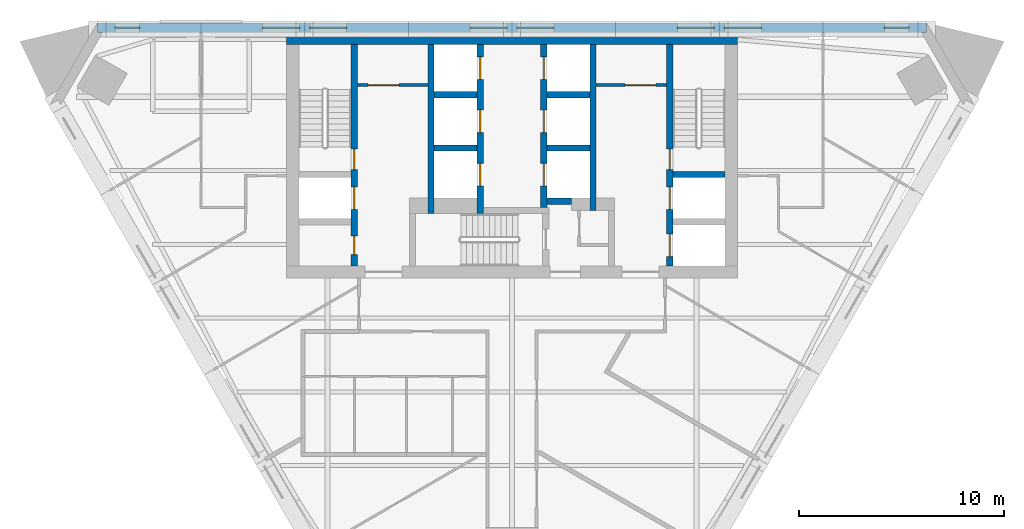
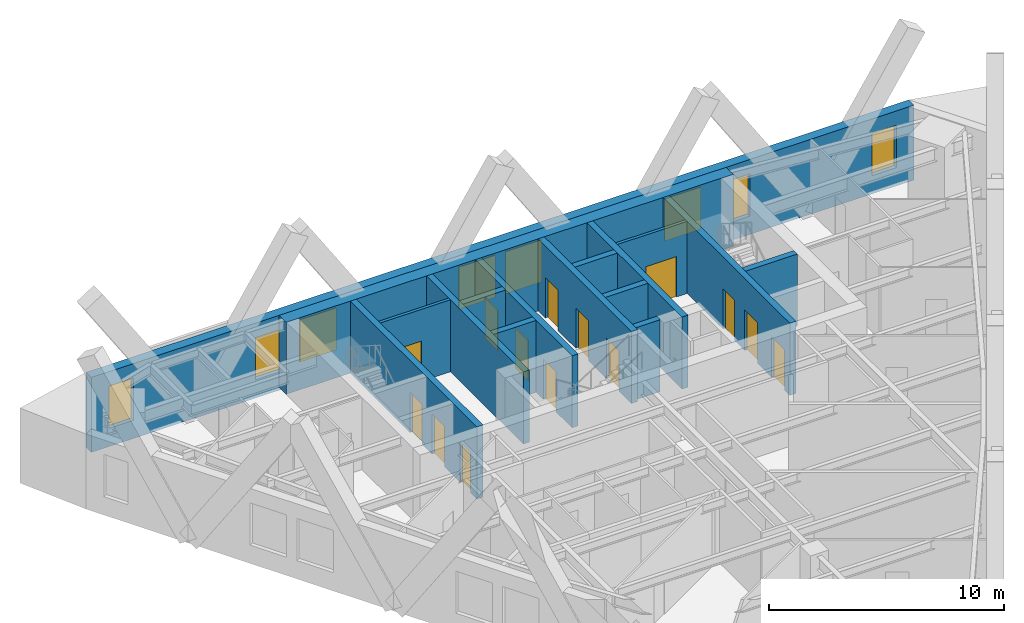
# One storey, part 5 of 7: 16 walls, 14 doors, 8 windows, 22 openings.
"""IFC4 building model written with IfcOpenShell, lengths in metres."""

import ifcopenshell
import ifcopenshell.guid

model = None  # the IFC model being written
_history = None  # IfcOwnerHistory: only IFC2X3 demands one
_inside = {}  # id of a spatial element -> (the spatial element, [elements in it])
_under = {}  # id of a project, library or spatial element -> (it, [spatial elements below it])
_declared = {}  # id of a project -> (the project, [libraries it declares])
_typed = {}  # id of a type object -> (the type object, [elements of that type])
_made_of = {}  # id of a material, layer set ... -> (it, [elements and type objects made of it])


def new_model(schema):
    """Start an empty IFC model of exactly this schema.

    Asked for "IFC4X3", IfcOpenShell would pick the latest addendum, in which some entities
    have other attributes; the version numbers below select the first issue.
    IFC2X3 requires an IfcOwnerHistory on every rooted entity: one is made here for all.
    """
    global model, _history
    if schema == "IFC4X3":
        model = ifcopenshell.file(schema_version=(4, 3, 0, 0))
    else:
        model = ifcopenshell.file(schema=schema)
    _inside.clear()
    _under.clear()
    _declared.clear()
    _typed.clear()
    _made_of.clear()
    _history = None
    if model.schema == "IFC2X3":
        org = make("IfcOrganization", Name="unknown")
        user = make(
            "IfcPersonAndOrganization",
            ThePerson=make("IfcPerson", FamilyName="unknown"),
            TheOrganization=org,
        )
        app = make(
            "IfcApplication",
            ApplicationDeveloper=org,
            Version="unknown",
            ApplicationFullName="unknown",
            ApplicationIdentifier="unknown",
        )
        _history = make(
            "IfcOwnerHistory",
            OwningUser=user,
            OwningApplication=app,
            ChangeAction="ADDED",
            CreationDate=0,
        )
    return model


def make(cls, **values):
    """One entity of the class cls with the attributes given. An attribute that is None is left unset."""
    return model.create_entity(
        cls, **{name: value for name, value in values.items() if value is not None}
    )


def rooted(cls, **values):
    """An entity with a GlobalId (a new one), such as an element, a storey or a relation."""
    return make(cls, GlobalId=ifcopenshell.guid.new(), OwnerHistory=_history, **values)


def si_unit(unit_type, name, prefix=None):
    """IfcSIUnit, for example si_unit("LENGTHUNIT", "METRE", prefix="MILLI")."""
    return make("IfcSIUnit", UnitType=unit_type, Prefix=prefix, Name=name)


def assignment(units):
    """IfcUnitAssignment: the units of a project."""
    return None if units is None else make("IfcUnitAssignment", Units=units)


def point(xyz):
    """IfcCartesianPoint."""
    return None if xyz is None else make("IfcCartesianPoint", Coordinates=xyz)


def direction(xyz):
    """IfcDirection."""
    return None if xyz is None else make("IfcDirection", DirectionRatios=xyz)


def frame(location, z_axis=None, x_axis=None):
    """IfcAxis2Placement3D, a coordinate frame: its origin and axes. An axis left out is left unset."""
    return make(
        "IfcAxis2Placement3D",
        Location=point(location),
        Axis=direction(z_axis),
        RefDirection=direction(x_axis),
    )


def frame_2d(location, x_axis=None):
    """IfcAxis2Placement2D, a coordinate frame in the plane: its origin and x axis."""
    return make(
        "IfcAxis2Placement2D", Location=point(location), RefDirection=direction(x_axis)
    )


def origin():
    """The frame at (0, 0, 0) with its axes left unset."""
    return frame((0.0, 0.0, 0.0))


def place(relative_to, where):
    """IfcLocalPlacement: puts the frame where relative to a parent placement (None: the world)."""
    return make(
        "IfcLocalPlacement", PlacementRelTo=relative_to, RelativePlacement=where
    )


def context(
    kind, dimensions, precision=None, world=None, true_north=None, identifier=None
):
    """IfcGeometricRepresentationContext, for example the 3D "Model" context."""
    return make(
        "IfcGeometricRepresentationContext",
        ContextIdentifier=identifier,
        ContextType=kind,
        CoordinateSpaceDimension=dimensions,
        Precision=precision,
        WorldCoordinateSystem=world,
        TrueNorth=true_north,
    )


def subcontext(parent, identifier, kind, view, scale=None):
    """IfcGeometricRepresentationSubContext, for example "Body" below "Model"."""
    return make(
        "IfcGeometricRepresentationSubContext",
        ContextIdentifier=identifier,
        ContextType=kind,
        ParentContext=parent,
        TargetScale=scale,
        TargetView=view,
    )


def project(units=None, contexts=None):
    """IfcProject with its units and contexts."""
    return rooted(
        "IfcProject",
        Name="project",
        RepresentationContexts=contexts,
        UnitsInContext=assignment(units),
    )


def spatial(cls, under=None, at=None, **own):
    """A site, building, storey or space (cls), placed at a placement, below another one or the project."""
    s = rooted(cls, ObjectPlacement=at, **own)
    if under is not None:
        _under.setdefault(under.id(), (under, []))[1].append(s)
    return s


def polyline(points):
    """IfcPolyline through the points."""
    return make("IfcPolyline", Points=[point(p) for p in points])


def profile(cls, at=None, kind="AREA", **sizes):
    """A parametric profile (cls). Its sizes go by their IFC names, for example OverallWidth=200.0."""
    return make(cls, ProfileType=kind, Position=at, **sizes)


def rectangle(**sizes):
    """IfcRectangleProfileDef."""
    return profile("IfcRectangleProfileDef", **sizes)


def outline(outer, holes=None, kind="AREA"):
    """IfcArbitraryClosedProfileDef: a profile drawn as a closed curve; with holes, ...WithVoids."""
    if holes is None:
        return make("IfcArbitraryClosedProfileDef", ProfileType=kind, OuterCurve=outer)
    return make(
        "IfcArbitraryProfileDefWithVoids",
        ProfileType=kind,
        OuterCurve=outer,
        InnerCurves=holes,
    )


def extrude(swept, where, along, depth):
    """IfcExtrudedAreaSolid: the profile swept, set in the frame where, extruded along a direction by depth."""
    return make(
        "IfcExtrudedAreaSolid",
        SweptArea=swept,
        Position=where,
        ExtrudedDirection=direction(along),
        Depth=depth,
    )


def shape(context_of_items, identifier, shape_type, items):
    """IfcShapeRepresentation: the items that make up one representation, for example the "Body"."""
    return make(
        "IfcShapeRepresentation",
        ContextOfItems=context_of_items,
        RepresentationIdentifier=identifier,
        RepresentationType=shape_type,
        Items=items,
    )


def material(Name=None, Category=None):
    """IfcMaterial."""
    return make("IfcMaterial", Name=Name, Category=Category)


def layer(
    of_material, thickness, ventilated=None, Name=None, Category=None, Priority=None
):
    """IfcMaterialLayer: one layer of a wall or slab, of a material (None: an air gap)."""
    return make(
        "IfcMaterialLayer",
        Material=of_material,
        LayerThickness=thickness,
        IsVentilated=ventilated,
        Name=Name,
        Category=Category,
        Priority=Priority,
    )


def layer_set(layers, Name=None):
    """IfcMaterialLayerSet."""
    return make("IfcMaterialLayerSet", MaterialLayers=layers, LayerSetName=Name)


def made_of(thing, what):
    """Note that an element or type object is made of a material, layer set ...; save() writes the relation."""
    if what is not None:
        _made_of.setdefault(what.id(), (what, []))[1].append(thing)
    return thing


def type_object(cls, material=None, **own):
    """A type object (cls), such as IfcWallType, which elements share."""
    return made_of(rooted(cls, **own), material)


def element(
    cls,
    number,
    at=None,
    inside=None,
    cuts=None,
    type_object=None,
    material=None,
    context=None,
    identifier="Body",
    shape_type=None,
    held_by="IfcProductDefinitionShape",
    body=None,
    shapes=None,
    **own,
):
    """One element of the class cls, such as IfcWall. Its Tag is "e" and its number.

    at: its placement. inside: the storey or other place that contains it. cuts: it is an
    opening in that element (IfcRelVoidsElement). A single representation is given by context,
    identifier, shape_type and body (its items); several are given by shapes. held_by: the class
    of the entity that holds the representations. save() writes the other relations.
    """
    e = rooted(cls, Tag="e%d" % number, ObjectPlacement=at, **own)
    if body is not None:
        shapes = [shape(context, identifier, shape_type, body)]
    if shapes is not None:
        e.Representation = make(held_by, Representations=shapes)
    if inside is not None:
        _inside.setdefault(inside.id(), (inside, []))[1].append(e)
    if cuts is not None:
        rooted(
            "IfcRelVoidsElement", RelatingBuildingElement=cuts, RelatedOpeningElement=e
        )
    if type_object is not None:
        _typed.setdefault(type_object.id(), (type_object, []))[1].append(e)
    return made_of(e, material)


def fill(opening, filler):
    """IfcRelFillsElement: the door or window that sits in an opening."""
    return rooted(
        "IfcRelFillsElement",
        RelatingOpeningElement=opening,
        RelatedBuildingElement=filler,
    )


def aggregate(whole, parts):
    """IfcRelAggregates: a whole, such as a stair, and the parts it consists of."""
    return rooted("IfcRelAggregates", RelatingObject=whole, RelatedObjects=parts)


def save(model, path):
    """Write the relations noted so far, then the file.

    IfcRelAggregates (storeys below a building ...), IfcRelContainedInSpatialStructure (elements
    in a storey), IfcRelDefinesByType, IfcRelAssociatesMaterial and IfcRelDeclares: one each for
    every whole, place, type object, material and project.
    """
    for whole, parts in _under.values():
        aggregate(whole, parts)
    for where, things in _inside.values():
        rooted(
            "IfcRelContainedInSpatialStructure",
            RelatedElements=things,
            RelatingStructure=where,
        )
    for kind, things in _typed.values():
        rooted("IfcRelDefinesByType", RelatedObjects=things, RelatingType=kind)
    for what, things in _made_of.values():
        rooted("IfcRelAssociatesMaterial", RelatedObjects=things, RelatingMaterial=what)
    for by, libraries in _declared.values():
        rooted("IfcRelDeclares", RelatingContext=by, RelatedDefinitions=libraries)
    model.write(path)


model = new_model("IFC4")

# Units and contexts
model_context = context("Model", 3, precision=1e-05, world=origin(), true_north=direction((0.0, 1.0)))
body_context = subcontext(model_context, "Body", "Model", "MODEL_VIEW")
ifc_project = project(units=[si_unit("LENGTHUNIT", "METRE"), si_unit("AREAUNIT", "SQUARE_METRE"), si_unit("VOLUMEUNIT", "CUBIC_METRE"), si_unit("PLANEANGLEUNIT", "RADIAN"), si_unit("MASSUNIT", "GRAM", prefix="KILO")], contexts=[model_context])

# Site, building, storey
site_placement = place(None, origin())
site = spatial("IfcSite", under=ifc_project, at=site_placement, CompositionType="ELEMENT")
building_placement = place(site_placement, origin())
building = spatial("IfcBuilding", under=site, at=building_placement, Name="Aloe Facet Convention Tower", CompositionType="ELEMENT")
storey_placement = place(building_placement, frame((0.0, 0.0, 136.39990234375)))
storey = spatial("IfcBuildingStorey", under=building, at=storey_placement, Name="L34", CompositionType="ELEMENT", Elevation=136.39990234375)

# Wall, opening, door
ifc_material_1 = material(Name="Concrete blockwork partition", Category="masonry")
ifc_layer_1 = layer(ifc_material_1, 0.14990234375)
ifc_layer_set_1 = layer_set([ifc_layer_1], Name="CR-W-PART150")
wall_type_1 = type_object("IfcWallType", Name="CR-W-PART150", PredefinedType="PARTITIONING", material=ifc_layer_set_1)
wall_1_placement = place(storey_placement, frame((72.449951171875, 131.97509765625, 0.0), z_axis=(0.0, 0.0, 1.0), x_axis=(1.0, 0.0, 0.0)))
wall_1 = element("IfcWall", 1, at=wall_1_placement, inside=storey, type_object=wall_type_1, Name="Core partition L34-007", PredefinedType="PARTITIONING", context=body_context, shape_type="SweptSolid", body=[
    extrude(rectangle(XDim=3.449951171875, YDim=0.14990234375, at=frame_2d((1.72509765625, 0.0))), origin(), (0.0, 0.0, 1.0), 3.75),
])
opening_1_placement = place(wall_1_placement, frame((0.52490234375, 0.0, 0.0)))
opening_1 = element("IfcOpeningElement", 2, at=opening_1_placement, cuts=wall_1, Name="Opening L34-CD14", PredefinedType="OPENING", context=body_context, shape_type="SweptSolid", body=[
    extrude(rectangle(XDim=1.5, YDim=2.10009765625, at=frame_2d((0.75, 1.050048828125))), frame((0.0, 0.0849609375, 0.0), z_axis=(0.0, -1.0, 0.0), x_axis=(1.0, 0.0, 0.0)), (0.0, 0.0, 1.0), 0.169921875),
])
ifc_material_2 = material(Name="Steel fire-resisting door set FD60", Category="steel")
door_type_1 = type_object("IfcDoorType", Name="CR-D-REFUGE-1500-FD60-DD", OperationType="DOUBLE_DOOR_DOUBLE_SWING", PredefinedType="DOOR", material=ifc_material_2)
door_1_placement = place(opening_1_placement, origin())
door_1 = element("IfcDoor", 3, at=door_1_placement, inside=storey, type_object=door_type_1, Name="Core door L34-CD14", OperationType="DOUBLE_DOOR_DOUBLE_SWING", OverallHeight=2.10009765625, OverallWidth=1.5, PredefinedType="DOOR", context=body_context, shape_type="SweptSolid", body=[
    extrude(rectangle(XDim=1.5, YDim=2.10009765625, at=frame_2d((0.75, 1.050048828125))), frame((0.0, 0.02490234375, 0.0), z_axis=(0.0, -1.0, 0.0), x_axis=(1.0, 0.0, 0.0)), (0.0, 0.0, 1.0), 0.050048828125),
])
fill(opening_1, door_1)

wall_2_placement = place(storey_placement, frame((84.10009765625, 131.97509765625, 0.0), z_axis=(0.0, 0.0, 1.0), x_axis=(1.0, 0.0, 0.0)))
wall_2 = element("IfcWall", 4, at=wall_2_placement, inside=storey, type_object=wall_type_1, Name="Core partition L34-025", PredefinedType="PARTITIONING", context=body_context, shape_type="SweptSolid", body=[
    extrude(rectangle(XDim=3.449951171875, YDim=0.14990234375, at=frame_2d((1.72509765625, 0.0))), origin(), (0.0, 0.0, 1.0), 3.75),
])
opening_2_placement = place(wall_2_placement, frame((1.425048828125, 0.0, 0.0)))
opening_2 = element("IfcOpeningElement", 5, at=opening_2_placement, cuts=wall_2, Name="Opening L34-CD13", PredefinedType="OPENING", context=body_context, shape_type="SweptSolid", body=[
    extrude(rectangle(XDim=1.5, YDim=2.10009765625, at=frame_2d((0.75, 1.050048828125))), frame((0.0, 0.0849609375, 0.0), z_axis=(0.0, -1.0, 0.0), x_axis=(1.0, 0.0, 0.0)), (0.0, 0.0, 1.0), 0.169921875),
])
door_2_placement = place(opening_2_placement, origin())
door_2 = element("IfcDoor", 6, at=door_2_placement, inside=storey, type_object=door_type_1, Name="Core door L34-CD13", OperationType="DOUBLE_DOOR_DOUBLE_SWING", OverallHeight=2.10009765625, OverallWidth=1.5, PredefinedType="DOOR", context=body_context, shape_type="SweptSolid", body=[
    extrude(rectangle(XDim=1.5, YDim=2.10009765625, at=frame_2d((0.75, 1.050048828125))), frame((0.0, 0.02490234375, 0.0), z_axis=(0.0, -1.0, 0.0), x_axis=(1.0, 0.0, 0.0)), (0.0, 0.0, 1.0), 0.050048828125),
])
fill(opening_2, door_2)

# Wall, openings, doors
ifc_material_3 = material(Name="Concrete C60/75", Category="concrete")
ifc_layer_2 = layer(ifc_material_3, 0.300048828125)
ifc_layer_set_2 = layer_set([ifc_layer_2], Name="CR-W-RC300-C6075")
wall_type_2 = type_object("IfcWallType", Name="CR-W-RC300-C6075", PredefinedType="SOLIDWALL", material=ifc_layer_set_2)
wall_3_placement = place(storey_placement, frame((72.300048828125, 133.949951171875, 0.0), z_axis=(0.0, 0.0, 1.0), x_axis=(0.0, -1.0, 0.0)))
wall_3 = element("IfcWall", 7, at=wall_3_placement, inside=storey, type_object=wall_type_2, Name="Core wall L34-006", PredefinedType="SOLIDWALL", context=body_context, shape_type="SweptSolid", body=[
    extrude(rectangle(XDim=10.800048828125, YDim=0.300048828125, at=frame_2d((5.39990234375, 0.0))), origin(), (0.0, 0.0, 1.0), 3.75),
])
opening_3_placement = place(wall_3_placement, frame((6.949951171875, 0.0, 0.0)))
opening_3 = element("IfcOpeningElement", 8, at=opening_3_placement, cuts=wall_3, Name="Opening LD-FF1-L34", PredefinedType="OPENING", context=body_context, shape_type="SweptSolid", body=[
    extrude(rectangle(XDim=1.10009765625, YDim=2.10009765625, at=frame_2d((0.550048828125, 1.050048828125))), frame((0.0, 0.16015625, 0.0), z_axis=(0.0, -1.0, 0.0), x_axis=(1.0, 0.0, 0.0)), (0.0, 0.0, 1.0), 0.320068359375),
])
opening_4_placement = place(wall_3_placement, frame((9.35009765625, 0.0, 0.0)))
opening_4 = element("IfcOpeningElement", 9, at=opening_4_placement, cuts=wall_3, Name="Opening L34-CD15", PredefinedType="OPENING", context=body_context, shape_type="SweptSolid", body=[
    extrude(rectangle(XDim=0.89990234375, YDim=2.10009765625, at=frame_2d((0.449951171875, 1.050048828125))), frame((0.0, 0.16015625, 0.0), z_axis=(0.0, -1.0, 0.0), x_axis=(1.0, 0.0, 0.0)), (0.0, 0.0, 1.0), 0.320068359375),
])
opening_5_placement = place(wall_3_placement, frame((5.10009765625, 0.0, 0.0)))
opening_5 = element("IfcOpeningElement", 10, at=opening_5_placement, cuts=wall_3, Name="Opening L34-CD16", PredefinedType="OPENING", context=body_context, shape_type="SweptSolid", body=[
    extrude(rectangle(XDim=1.0, YDim=2.10009765625, at=frame_2d((0.5, 1.050048828125))), frame((0.0, 0.16015625, 0.0), z_axis=(0.0, -1.0, 0.0), x_axis=(1.0, 0.0, 0.0)), (0.0, 0.0, 1.0), 0.320068359375),
])
ifc_material_4 = material(Name="Steel fire-resisting door set FD60", Category="steel")
door_type_2 = type_object("IfcDoorType", Name="CR-D-ROOM-900-FD60-SLEFT", OperationType="SINGLE_SWING_LEFT", PredefinedType="DOOR", material=ifc_material_4)
door_3_placement = place(opening_4_placement, origin())
door_3 = element("IfcDoor", 11, at=door_3_placement, inside=storey, type_object=door_type_2, Name="Core door L34-CD15", OperationType="SINGLE_SWING_LEFT", OverallHeight=2.10009765625, OverallWidth=0.89990234375, PredefinedType="DOOR", context=body_context, shape_type="SweptSolid", body=[
    extrude(rectangle(XDim=0.89990234375, YDim=2.10009765625, at=frame_2d((0.449951171875, 1.050048828125))), frame((0.0, 0.02490234375, 0.0), z_axis=(0.0, -1.0, 0.0), x_axis=(1.0, 0.0, 0.0)), (0.0, 0.0, 1.0), 0.050048828125),
])
fill(opening_4, door_3)
ifc_material_5 = material(Name="Steel fire-resisting door set FD120", Category="steel")
door_type_3 = type_object("IfcDoorType", Name="CR-D-STAIR-1000-FD120-SRIGHT", OperationType="SINGLE_SWING_RIGHT", PredefinedType="DOOR", material=ifc_material_5)
door_4_placement = place(opening_5_placement, origin())
door_4 = element("IfcDoor", 12, at=door_4_placement, inside=storey, type_object=door_type_3, Name="Core door L34-CD16", OperationType="SINGLE_SWING_RIGHT", OverallHeight=2.10009765625, OverallWidth=1.0, PredefinedType="DOOR", context=body_context, shape_type="SweptSolid", body=[
    extrude(rectangle(XDim=1.0, YDim=2.10009765625, at=frame_2d((0.5, 1.050048828125))), frame((0.0, 0.02490234375, 0.0), z_axis=(0.0, -1.0, 0.0), x_axis=(1.0, 0.0, 0.0)), (0.0, 0.0, 1.0), 0.050048828125),
])
fill(opening_5, door_4)
ifc_material_6 = material(Name="Stainless steel sliding landing door", Category="steel")
door_type_4 = type_object("IfcDoorType", Name="CR-LD-1100-FD120-_LEFT", OperationType="SLIDING_TO_LEFT", PredefinedType="DOOR", material=ifc_material_6)
door_5_placement = place(opening_3_placement, origin())
door_5 = element("IfcDoor", 13, at=door_5_placement, inside=storey, type_object=door_type_4, Name="Landing door FF1 L34", OperationType="SLIDING_TO_LEFT", OverallHeight=2.10009765625, OverallWidth=1.10009765625, PredefinedType="DOOR", context=body_context, shape_type="SweptSolid", body=[
    extrude(rectangle(XDim=1.10009765625, YDim=2.10009765625, at=frame_2d((0.550048828125, 1.050048828125))), frame((0.0, 0.02490234375, 0.0), z_axis=(0.0, -1.0, 0.0), x_axis=(1.0, 0.0, 0.0)), (0.0, 0.0, 1.0), 0.050048828125),
])
fill(opening_3, door_5)

# Walls
wall_4_placement = place(storey_placement, frame((76.050048828125, 133.949951171875, 0.0), z_axis=(0.0, 0.0, 1.0), x_axis=(0.0, -1.0, 0.0)))
element("IfcWall", 14, at=wall_4_placement, inside=storey, type_object=wall_type_2, Name="Core wall L34-010", PredefinedType="SOLIDWALL", context=body_context, shape_type="SweptSolid", body=[
    extrude(rectangle(XDim=8.25, YDim=0.300048828125, at=frame_2d((4.125, 0.0))), origin(), (0.0, 0.0, 1.0), 3.75),
])
for number, where, z_axis, x_axis, name in (
    (15, (76.199951171875, 131.5, 0.0), (0.0, 0.0, 1.0), (1.0, 0.0, 0.0), "Core wall L34-011"),
    (16, (76.199951171875, 128.89990234375, 0.0), (0.0, 0.0, 1.0), (1.0, 0.0, 0.0), "Core wall L34-012"),
):
    element("IfcWall", number, at=place(storey_placement, frame(where, z_axis=z_axis, x_axis=x_axis)), inside=storey, type_object=wall_type_2, Name=name, PredefinedType="SOLIDWALL", context=body_context, shape_type="SweptSolid", body=[
        extrude(rectangle(XDim=2.10009765625, YDim=0.300048828125, at=frame_2d((1.050048828125, 0.0))), origin(), (0.0, 0.0, 1.0), 3.75),
    ])

# Wall, openings, doors
wall_5_placement = place(storey_placement, frame((78.449951171875, 133.949951171875, 0.0), z_axis=(0.0, 0.0, 1.0), x_axis=(0.0, -1.0, 0.0)))
wall_5 = element("IfcWall", 17, at=wall_5_placement, inside=storey, type_object=wall_type_2, Name="Core wall L34-014", PredefinedType="SOLIDWALL", context=body_context, shape_type="SweptSolid", body=[
    extrude(rectangle(XDim=8.25, YDim=0.300048828125, at=frame_2d((4.125, 0.0))), origin(), (0.0, 0.0, 1.0), 3.75),
])
opening_6_placement = place(wall_5_placement, frame((0.60009765625, 0.0, 0.0)))
opening_6 = element("IfcOpeningElement", 18, at=opening_6_placement, cuts=wall_5, Name="Opening LD-B1-L34", PredefinedType="OPENING", context=body_context, shape_type="SweptSolid", body=[
    extrude(rectangle(XDim=1.10009765625, YDim=2.10009765625, at=frame_2d((0.550048828125, 1.050048828125))), frame((0.0, 0.16015625, 0.0), z_axis=(0.0, -1.0, 0.0), x_axis=(1.0, 0.0, 0.0)), (0.0, 0.0, 1.0), 0.320068359375),
])
opening_7_placement = place(wall_5_placement, frame((3.199951171875, 0.0, 0.0)))
opening_7 = element("IfcOpeningElement", 19, at=opening_7_placement, cuts=wall_5, Name="Opening LD-B2-L34", PredefinedType="OPENING", context=body_context, shape_type="SweptSolid", body=[
    extrude(rectangle(XDim=1.10009765625, YDim=2.10009765625, at=frame_2d((0.550048828125, 1.050048828125))), frame((0.0, 0.16015625, 0.0), z_axis=(0.0, -1.0, 0.0), x_axis=(1.0, 0.0, 0.0)), (0.0, 0.0, 1.0), 0.320068359375),
])
opening_8_placement = place(wall_5_placement, frame((5.800048828125, 0.0, 0.0)))
opening_8 = element("IfcOpeningElement", 20, at=opening_8_placement, cuts=wall_5, Name="Opening LD-B3-L34", PredefinedType="OPENING", context=body_context, shape_type="SweptSolid", body=[
    extrude(rectangle(XDim=1.10009765625, YDim=2.10009765625, at=frame_2d((0.550048828125, 1.050048828125))), frame((0.0, 0.16015625, 0.0), z_axis=(0.0, -1.0, 0.0), x_axis=(1.0, 0.0, 0.0)), (0.0, 0.0, 1.0), 0.320068359375),
])
ifc_material_7 = material(Name="Stainless steel sliding landing door", Category="steel")
door_type_5 = type_object("IfcDoorType", Name="CR-LD-1100-FD60-RIGHT", OperationType="SLIDING_TO_RIGHT", PredefinedType="DOOR", material=ifc_material_7)
door_6_placement = place(opening_6_placement, origin())
door_6 = element("IfcDoor", 21, at=door_6_placement, inside=storey, type_object=door_type_5, Name="Landing door B1 L34", OperationType="SLIDING_TO_RIGHT", OverallHeight=2.10009765625, OverallWidth=1.10009765625, PredefinedType="DOOR", context=body_context, shape_type="SweptSolid", body=[
    extrude(rectangle(XDim=1.10009765625, YDim=2.10009765625, at=frame_2d((0.550048828125, 1.050048828125))), frame((0.0, 0.02490234375, 0.0), z_axis=(0.0, -1.0, 0.0), x_axis=(1.0, 0.0, 0.0)), (0.0, 0.0, 1.0), 0.050048828125),
])
fill(opening_6, door_6)
door_7_placement = place(opening_7_placement, origin())
door_7 = element("IfcDoor", 22, at=door_7_placement, inside=storey, type_object=door_type_5, Name="Landing door B2 L34", OperationType="SLIDING_TO_RIGHT", OverallHeight=2.10009765625, OverallWidth=1.10009765625, PredefinedType="DOOR", context=body_context, shape_type="SweptSolid", body=[
    extrude(rectangle(XDim=1.10009765625, YDim=2.10009765625, at=frame_2d((0.550048828125, 1.050048828125))), frame((0.0, 0.02490234375, 0.0), z_axis=(0.0, -1.0, 0.0), x_axis=(1.0, 0.0, 0.0)), (0.0, 0.0, 1.0), 0.050048828125),
])
fill(opening_7, door_7)
door_8_placement = place(opening_8_placement, origin())
door_8 = element("IfcDoor", 23, at=door_8_placement, inside=storey, type_object=door_type_5, Name="Landing door B3 L34", OperationType="SLIDING_TO_RIGHT", OverallHeight=2.10009765625, OverallWidth=1.10009765625, PredefinedType="DOOR", context=body_context, shape_type="SweptSolid", body=[
    extrude(rectangle(XDim=1.10009765625, YDim=2.10009765625, at=frame_2d((0.550048828125, 1.050048828125))), frame((0.0, 0.02490234375, 0.0), z_axis=(0.0, -1.0, 0.0), x_axis=(1.0, 0.0, 0.0)), (0.0, 0.0, 1.0), 0.050048828125),
])
fill(opening_8, door_8)

wall_6_placement = place(storey_placement, frame((81.550048828125, 133.949951171875, 0.0), z_axis=(0.0, 0.0, 1.0), x_axis=(0.0, -1.0, 0.0)))
wall_6 = element("IfcWall", 24, at=wall_6_placement, inside=storey, type_object=wall_type_2, Name="Core wall L34-016", PredefinedType="SOLIDWALL", context=body_context, shape_type="SweptSolid", body=[
    extrude(rectangle(XDim=7.949951171875, YDim=0.300048828125, at=frame_2d((3.97509765625, 0.0))), origin(), (0.0, 0.0, 1.0), 3.75),
])
opening_9_placement = place(wall_6_placement, frame((0.60009765625, 0.0, 0.0)))
opening_9 = element("IfcOpeningElement", 25, at=opening_9_placement, cuts=wall_6, Name="Opening LD-B4-L34", PredefinedType="OPENING", context=body_context, shape_type="SweptSolid", body=[
    extrude(rectangle(XDim=1.10009765625, YDim=2.10009765625, at=frame_2d((0.550048828125, 1.050048828125))), frame((0.0, 0.16015625, 0.0), z_axis=(0.0, -1.0, 0.0), x_axis=(1.0, 0.0, 0.0)), (0.0, 0.0, 1.0), 0.320068359375),
])
opening_10_placement = place(wall_6_placement, frame((3.199951171875, 0.0, 0.0)))
opening_10 = element("IfcOpeningElement", 26, at=opening_10_placement, cuts=wall_6, Name="Opening LD-B5-L34", PredefinedType="OPENING", context=body_context, shape_type="SweptSolid", body=[
    extrude(rectangle(XDim=1.10009765625, YDim=2.10009765625, at=frame_2d((0.550048828125, 1.050048828125))), frame((0.0, 0.16015625, 0.0), z_axis=(0.0, -1.0, 0.0), x_axis=(1.0, 0.0, 0.0)), (0.0, 0.0, 1.0), 0.320068359375),
])
opening_11_placement = place(wall_6_placement, frame((5.800048828125, 0.0, 0.0)))
opening_11 = element("IfcOpeningElement", 27, at=opening_11_placement, cuts=wall_6, Name="Opening LD-B6-L34", PredefinedType="OPENING", context=body_context, shape_type="SweptSolid", body=[
    extrude(rectangle(XDim=1.10009765625, YDim=2.10009765625, at=frame_2d((0.550048828125, 1.050048828125))), frame((0.0, 0.16015625, 0.0), z_axis=(0.0, -1.0, 0.0), x_axis=(1.0, 0.0, 0.0)), (0.0, 0.0, 1.0), 0.320068359375),
])
ifc_material_8 = material(Name="Stainless steel sliding landing door", Category="steel")
door_type_6 = type_object("IfcDoorType", Name="CR-LD-1100-FD60-_LEFT", OperationType="SLIDING_TO_LEFT", PredefinedType="DOOR", material=ifc_material_8)
door_9_placement = place(opening_9_placement, origin())
door_9 = element("IfcDoor", 28, at=door_9_placement, inside=storey, type_object=door_type_6, Name="Landing door B4 L34", OperationType="SLIDING_TO_LEFT", OverallHeight=2.10009765625, OverallWidth=1.10009765625, PredefinedType="DOOR", context=body_context, shape_type="SweptSolid", body=[
    extrude(rectangle(XDim=1.10009765625, YDim=2.10009765625, at=frame_2d((0.550048828125, 1.050048828125))), frame((0.0, 0.02490234375, 0.0), z_axis=(0.0, -1.0, 0.0), x_axis=(1.0, 0.0, 0.0)), (0.0, 0.0, 1.0), 0.050048828125),
])
fill(opening_9, door_9)
door_10_placement = place(opening_10_placement, origin())
door_10 = element("IfcDoor", 29, at=door_10_placement, inside=storey, type_object=door_type_6, Name="Landing door B5 L34", OperationType="SLIDING_TO_LEFT", OverallHeight=2.10009765625, OverallWidth=1.10009765625, PredefinedType="DOOR", context=body_context, shape_type="SweptSolid", body=[
    extrude(rectangle(XDim=1.10009765625, YDim=2.10009765625, at=frame_2d((0.550048828125, 1.050048828125))), frame((0.0, 0.02490234375, 0.0), z_axis=(0.0, -1.0, 0.0), x_axis=(1.0, 0.0, 0.0)), (0.0, 0.0, 1.0), 0.050048828125),
])
fill(opening_10, door_10)
door_11_placement = place(opening_11_placement, origin())
door_11 = element("IfcDoor", 30, at=door_11_placement, inside=storey, type_object=door_type_6, Name="Landing door B6 L34", OperationType="SLIDING_TO_LEFT", OverallHeight=2.10009765625, OverallWidth=1.10009765625, PredefinedType="DOOR", context=body_context, shape_type="SweptSolid", body=[
    extrude(rectangle(XDim=1.10009765625, YDim=2.10009765625, at=frame_2d((0.550048828125, 1.050048828125))), frame((0.0, 0.02490234375, 0.0), z_axis=(0.0, -1.0, 0.0), x_axis=(1.0, 0.0, 0.0)), (0.0, 0.0, 1.0), 0.050048828125),
])
fill(opening_11, door_11)

# Walls
for number, where, z_axis, x_axis, name in (
    (31, (81.699951171875, 131.5, 0.0), (0.0, 0.0, 1.0), (1.0, 0.0, 0.0), "Core wall L34-018"),
    (32, (81.699951171875, 128.89990234375, 0.0), (0.0, 0.0, 1.0), (1.0, 0.0, 0.0), "Core wall L34-019"),
):
    element("IfcWall", number, at=place(storey_placement, frame(where, z_axis=z_axis, x_axis=x_axis)), inside=storey, type_object=wall_type_2, Name=name, PredefinedType="SOLIDWALL", context=body_context, shape_type="SweptSolid", body=[
        extrude(rectangle(XDim=2.10009765625, YDim=0.300048828125, at=frame_2d((1.050048828125, 0.0))), origin(), (0.0, 0.0, 1.0), 3.75),
    ])
wall_7_placement = place(storey_placement, frame((81.699951171875, 126.300048828125, 0.0), z_axis=(0.0, 0.0, 1.0), x_axis=(1.0, 0.0, 0.0)))
element("IfcWall", 33, at=wall_7_placement, inside=storey, type_object=wall_type_2, Name="Core wall L34-020", PredefinedType="SOLIDWALL", context=body_context, shape_type="SweptSolid", body=[
    extrude(rectangle(XDim=1.199951171875, YDim=0.300048828125, at=frame_2d((0.60009765625, 0.0))), origin(), (0.0, 0.0, 1.0), 3.75),
])
wall_8_placement = place(storey_placement, frame((83.949951171875, 133.949951171875, 0.0), z_axis=(0.0, 0.0, 1.0), x_axis=(0.0, -1.0, 0.0)))
element("IfcWall", 34, at=wall_8_placement, inside=storey, type_object=wall_type_2, Name="Core wall L34-024", PredefinedType="SOLIDWALL", context=body_context, shape_type="SweptSolid", body=[
    extrude(rectangle(XDim=8.099853515625, YDim=0.300048828125, at=frame_2d((4.0498046875, 0.0))), origin(), (0.0, 0.0, 1.0), 3.75),
])

# Wall, openings, doors
wall_9_placement = place(storey_placement, frame((87.699951171875, 133.949951171875, 0.0), z_axis=(0.0, 0.0, 1.0), x_axis=(0.0, -1.0, 0.0)))
wall_9 = element("IfcWall", 35, at=wall_9_placement, inside=storey, type_object=wall_type_2, Name="Core wall L34-028", PredefinedType="SOLIDWALL", context=body_context, shape_type="SweptSolid", body=[
    extrude(rectangle(XDim=10.800048828125, YDim=0.300048828125, at=frame_2d((5.39990234375, 0.0))), origin(), (0.0, 0.0, 1.0), 3.75),
])
opening_12_placement = place(wall_9_placement, frame((6.949951171875, 0.0, 0.0)))
opening_12 = element("IfcOpeningElement", 36, at=opening_12_placement, cuts=wall_9, Name="Opening LD-FF2-L34", PredefinedType="OPENING", context=body_context, shape_type="SweptSolid", body=[
    extrude(rectangle(XDim=1.10009765625, YDim=2.10009765625, at=frame_2d((0.550048828125, 1.050048828125))), frame((0.0, 0.16015625, 0.0), z_axis=(0.0, -1.0, 0.0), x_axis=(1.0, 0.0, 0.0)), (0.0, 0.0, 1.0), 0.320068359375),
])
opening_13_placement = place(wall_9_placement, frame((5.10009765625, 0.0, 0.0)))
opening_13 = element("IfcOpeningElement", 37, at=opening_13_placement, cuts=wall_9, Name="Opening L34-CD17", PredefinedType="OPENING", context=body_context, shape_type="SweptSolid", body=[
    extrude(rectangle(XDim=1.0, YDim=2.10009765625, at=frame_2d((0.5, 1.050048828125))), frame((0.0, 0.16015625, 0.0), z_axis=(0.0, -1.0, 0.0), x_axis=(1.0, 0.0, 0.0)), (0.0, 0.0, 1.0), 0.320068359375),
])
opening_14_placement = place(wall_9_placement, frame((9.25, 0.0, 0.0)))
opening_14 = element("IfcOpeningElement", 38, at=opening_14_placement, cuts=wall_9, Name="Opening LD-SV1-L34", PredefinedType="OPENING", context=body_context, shape_type="SweptSolid", body=[
    extrude(rectangle(XDim=1.10009765625, YDim=2.10009765625, at=frame_2d((0.550048828125, 1.050048828125))), frame((0.0, 0.16015625, 0.0), z_axis=(0.0, -1.0, 0.0), x_axis=(1.0, 0.0, 0.0)), (0.0, 0.0, 1.0), 0.320068359375),
])
ifc_material_9 = material(Name="Steel fire-resisting door set FD120", Category="steel")
door_type_7 = type_object("IfcDoorType", Name="CR-D-STAIR-1000-FD120-SLEFT", OperationType="SINGLE_SWING_LEFT", PredefinedType="DOOR", material=ifc_material_9)
door_12_placement = place(opening_13_placement, origin())
door_12 = element("IfcDoor", 39, at=door_12_placement, inside=storey, type_object=door_type_7, Name="Core door L34-CD17", OperationType="SINGLE_SWING_LEFT", OverallHeight=2.10009765625, OverallWidth=1.0, PredefinedType="DOOR", context=body_context, shape_type="SweptSolid", body=[
    extrude(rectangle(XDim=1.0, YDim=2.10009765625, at=frame_2d((0.5, 1.050048828125))), frame((0.0, 0.02490234375, 0.0), z_axis=(0.0, -1.0, 0.0), x_axis=(1.0, 0.0, 0.0)), (0.0, 0.0, 1.0), 0.050048828125),
])
fill(opening_13, door_12)
door_13_placement = place(opening_12_placement, origin())
door_13 = element("IfcDoor", 40, at=door_13_placement, inside=storey, type_object=door_type_4, Name="Landing door FF2 L34", OperationType="SLIDING_TO_LEFT", OverallHeight=2.10009765625, OverallWidth=1.10009765625, PredefinedType="DOOR", context=body_context, shape_type="SweptSolid", body=[
    extrude(rectangle(XDim=1.10009765625, YDim=2.10009765625, at=frame_2d((0.550048828125, 1.050048828125))), frame((0.0, 0.02490234375, 0.0), z_axis=(0.0, -1.0, 0.0), x_axis=(1.0, 0.0, 0.0)), (0.0, 0.0, 1.0), 0.050048828125),
])
fill(opening_12, door_13)
door_14_placement = place(opening_14_placement, origin())
door_14 = element("IfcDoor", 41, at=door_14_placement, inside=storey, type_object=door_type_4, Name="Landing door SV1 L34", OperationType="SLIDING_TO_LEFT", OverallHeight=2.10009765625, OverallWidth=1.10009765625, PredefinedType="DOOR", context=body_context, shape_type="SweptSolid", body=[
    extrude(rectangle(XDim=1.10009765625, YDim=2.10009765625, at=frame_2d((0.550048828125, 1.050048828125))), frame((0.0, 0.02490234375, 0.0), z_axis=(0.0, -1.0, 0.0), x_axis=(1.0, 0.0, 0.0)), (0.0, 0.0, 1.0), 0.050048828125),
])
fill(opening_14, door_14)

# Walls
wall_10_placement = place(storey_placement, frame((87.85009765625, 127.60009765625, 0.0), z_axis=(0.0, 0.0, 1.0), x_axis=(1.0, 0.0, 0.0)))
element("IfcWall", 42, at=wall_10_placement, inside=storey, type_object=wall_type_2, Name="Core wall L34-029", PredefinedType="SOLIDWALL", context=body_context, shape_type="SweptSolid", body=[
    extrude(rectangle(XDim=2.5498046875, YDim=0.300048828125, at=frame_2d((1.27490234375, 0.0))), origin(), (0.0, 0.0, 1.0), 3.75),
])
ifc_material_10 = material(Name="Concrete C60/75", Category="concrete")
ifc_layer_3 = layer(ifc_material_10, 0.60009765625)
ifc_layer_set_3 = layer_set([ifc_layer_3], Name="CR-W-RC600-C6075")
wall_type_3 = type_object("IfcWallType", Name="CR-W-RC600-C6075", PredefinedType="SOLIDWALL", material=ifc_layer_set_3)
wall_11_placement = place(storey_placement, frame((69.0, 134.25, 0.0), z_axis=(0.0, 0.0, 1.0), x_axis=(1.0, 0.0, 0.0)))
element("IfcWall", 43, at=wall_11_placement, inside=storey, type_object=wall_type_3, Name="Core wall L34-001", PredefinedType="SOLIDWALL", context=body_context, shape_type="SweptSolid", body=[
    extrude(rectangle(XDim=22.0, YDim=0.60009765625, at=frame_2d((11.0, 0.0))), origin(), (0.0, 0.0, 1.0), 3.75),
])

# Wall, openings, windows
ifc_material_11 = material(Name="Precast concrete C40/50", Category="concrete")
ifc_layer_4 = layer(ifc_material_11, 0.449951171875)
ifc_layer_set_4 = layer_set([ifc_layer_4], Name="EV-WALL-STONE")
wall_type_4 = type_object("IfcWallType", Name="EV-WALL-STONE", PredefinedType="SOLIDWALL", material=ifc_layer_set_4)
wall_12_placement = place(storey_placement, frame((100.2431640625, 134.77490234375, -0.14990234375), z_axis=(0.0, 0.0, 1.0), x_axis=(-1.0, 0.0, 0.0)))
wall_12 = element("IfcWall", 44, at=wall_12_placement, inside=storey, type_object=wall_type_4, Name="EW-L34-N01", PredefinedType="SOLIDWALL", context=body_context, shape_type="SweptSolid", body=[
    extrude(outline(polyline([(40.486083984375, 0.0), (40.486083984375, 3.89990234375), (0.0, 3.89990234375), (0.0, 0.0), (40.486083984375, 0.0)])), frame((0.0, 0.22509765625, 0.0), z_axis=(0.0, -1.0, 0.0), x_axis=(1.0, 0.0, 0.0)), (0.0, 0.0, 1.0), 0.449951171875),
])
opening_15_placement = place(wall_12_placement, frame((0.86962890625, 0.0, 0.949951171875)))
opening_15 = element("IfcOpeningElement", 45, at=opening_15_placement, cuts=wall_12, Name="Opening W-L34-N01", PredefinedType="OPENING", context=body_context, shape_type="SweptSolid", body=[
    extrude(rectangle(XDim=1.199951171875, YDim=2.199951171875, at=frame_2d((0.60009765625, 1.10009765625))), frame((0.0, 0.23486328125, 0.0), z_axis=(0.0, -1.0, 0.0), x_axis=(1.0, 0.0, 0.0)), (0.0, 0.0, 1.0), 0.469970703125),
])
opening_16_placement = place(wall_12_placement, frame((8.071533203125, 0.0, 0.949951171875)))
opening_16 = element("IfcOpeningElement", 46, at=opening_16_placement, cuts=wall_12, Name="Opening W-L34-N02", PredefinedType="OPENING", context=body_context, shape_type="SweptSolid", body=[
    extrude(rectangle(XDim=1.800048828125, YDim=2.199951171875, at=frame_2d((0.89990234375, 1.10009765625))), frame((0.0, 0.23486328125, 0.0), z_axis=(0.0, -1.0, 0.0), x_axis=(1.0, 0.0, 0.0)), (0.0, 0.0, 1.0), 0.469970703125),
])
opening_17_placement = place(wall_12_placement, frame((10.37158203125, 0.0, 0.949951171875)))
opening_17 = element("IfcOpeningElement", 47, at=opening_17_placement, cuts=wall_12, Name="Opening W-L34-N03", PredefinedType="OPENING", context=body_context, shape_type="SweptSolid", body=[
    extrude(rectangle(XDim=1.800048828125, YDim=2.199951171875, at=frame_2d((0.89990234375, 1.10009765625))), frame((0.0, 0.23486328125, 0.0), z_axis=(0.0, -1.0, 0.0), x_axis=(1.0, 0.0, 0.0)), (0.0, 0.0, 1.0), 0.469970703125),
])
opening_18_placement = place(wall_12_placement, frame((18.193115234375, 0.0, 0.949951171875)))
opening_18 = element("IfcOpeningElement", 48, at=opening_18_placement, cuts=wall_12, Name="Opening W-L34-N04", PredefinedType="OPENING", context=body_context, shape_type="SweptSolid", body=[
    extrude(rectangle(XDim=1.800048828125, YDim=2.199951171875, at=frame_2d((0.89990234375, 1.10009765625))), frame((0.0, 0.23486328125, 0.0), z_axis=(0.0, -1.0, 0.0), x_axis=(1.0, 0.0, 0.0)), (0.0, 0.0, 1.0), 0.469970703125),
])
opening_19_placement = place(wall_12_placement, frame((20.4931640625, 0.0, 0.949951171875)))
opening_19 = element("IfcOpeningElement", 49, at=opening_19_placement, cuts=wall_12, Name="Opening W-L34-N05", PredefinedType="OPENING", context=body_context, shape_type="SweptSolid", body=[
    extrude(rectangle(XDim=1.800048828125, YDim=2.199951171875, at=frame_2d((0.89990234375, 1.10009765625))), frame((0.0, 0.23486328125, 0.0), z_axis=(0.0, -1.0, 0.0), x_axis=(1.0, 0.0, 0.0)), (0.0, 0.0, 1.0), 0.469970703125),
])
opening_20_placement = place(wall_12_placement, frame((28.314697265625, 0.0, 0.949951171875)))
opening_20 = element("IfcOpeningElement", 50, at=opening_20_placement, cuts=wall_12, Name="Opening W-L34-N06", PredefinedType="OPENING", context=body_context, shape_type="SweptSolid", body=[
    extrude(rectangle(XDim=1.800048828125, YDim=2.199951171875, at=frame_2d((0.89990234375, 1.10009765625))), frame((0.0, 0.23486328125, 0.0), z_axis=(0.0, -1.0, 0.0), x_axis=(1.0, 0.0, 0.0)), (0.0, 0.0, 1.0), 0.469970703125),
])
opening_21_placement = place(wall_12_placement, frame((30.614501953125, 0.0, 0.949951171875)))
opening_21 = element("IfcOpeningElement", 51, at=opening_21_placement, cuts=wall_12, Name="Opening W-L34-N07", PredefinedType="OPENING", context=body_context, shape_type="SweptSolid", body=[
    extrude(rectangle(XDim=1.800048828125, YDim=2.199951171875, at=frame_2d((0.89990234375, 1.10009765625))), frame((0.0, 0.23486328125, 0.0), z_axis=(0.0, -1.0, 0.0), x_axis=(1.0, 0.0, 0.0)), (0.0, 0.0, 1.0), 0.469970703125),
])
opening_22_placement = place(wall_12_placement, frame((38.41650390625, 0.0, 0.949951171875)))
opening_22 = element("IfcOpeningElement", 52, at=opening_22_placement, cuts=wall_12, Name="Opening W-L34-N08", PredefinedType="OPENING", context=body_context, shape_type="SweptSolid", body=[
    extrude(rectangle(XDim=1.199951171875, YDim=2.199951171875, at=frame_2d((0.60009765625, 1.10009765625))), frame((0.0, 0.23486328125, 0.0), z_axis=(0.0, -1.0, 0.0), x_axis=(1.0, 0.0, 0.0)), (0.0, 0.0, 1.0), 0.469970703125),
])
ifc_material_12 = material(Name="Aluminium frame, clear double glazing", Category="aluminium")
window_type_1 = type_object("IfcWindowType", Name="EV-WIN-O12", PartitioningType="SINGLE_PANEL", PredefinedType="WINDOW", material=ifc_material_12)
window_1_placement = place(opening_15_placement, origin())
window_1 = element("IfcWindow", 53, at=window_1_placement, inside=storey, type_object=window_type_1, Name="W-L34-N01", OverallHeight=2.199951171875, OverallWidth=1.199951171875, PartitioningType="SINGLE_PANEL", PredefinedType="WINDOW", context=body_context, shape_type="SweptSolid", body=[
    extrude(rectangle(XDim=1.199951171875, YDim=2.199951171875, at=frame_2d((0.60009765625, 1.10009765625))), frame((0.0, 0.030029296875, 0.0), z_axis=(0.0, -1.0, 0.0), x_axis=(1.0, 0.0, 0.0)), (0.0, 0.0, 1.0), 0.06005859375),
])
fill(opening_15, window_1)
window_2_placement = place(opening_22_placement, origin())
window_2 = element("IfcWindow", 54, at=window_2_placement, inside=storey, type_object=window_type_1, Name="W-L34-N08", OverallHeight=2.199951171875, OverallWidth=1.199951171875, PartitioningType="SINGLE_PANEL", PredefinedType="WINDOW", context=body_context, shape_type="SweptSolid", body=[
    extrude(rectangle(XDim=1.199951171875, YDim=2.199951171875, at=frame_2d((0.60009765625, 1.10009765625))), frame((0.0, 0.030029296875, 0.0), z_axis=(0.0, -1.0, 0.0), x_axis=(1.0, 0.0, 0.0)), (0.0, 0.0, 1.0), 0.06005859375),
])
fill(opening_22, window_2)
ifc_material_13 = material(Name="Aluminium frame, clear double glazing", Category="aluminium")
window_type_2 = type_object("IfcWindowType", Name="EV-WIN-O18", PartitioningType="SINGLE_PANEL", PredefinedType="WINDOW", material=ifc_material_13)
window_3_placement = place(opening_16_placement, origin())
window_3 = element("IfcWindow", 55, at=window_3_placement, inside=storey, type_object=window_type_2, Name="W-L34-N02", OverallHeight=2.199951171875, OverallWidth=1.800048828125, PartitioningType="SINGLE_PANEL", PredefinedType="WINDOW", context=body_context, shape_type="SweptSolid", body=[
    extrude(rectangle(XDim=1.800048828125, YDim=2.199951171875, at=frame_2d((0.89990234375, 1.10009765625))), frame((0.0, 0.030029296875, 0.0), z_axis=(0.0, -1.0, 0.0), x_axis=(1.0, 0.0, 0.0)), (0.0, 0.0, 1.0), 0.06005859375),
])
fill(opening_16, window_3)
window_4_placement = place(opening_17_placement, origin())
window_4 = element("IfcWindow", 56, at=window_4_placement, inside=storey, type_object=window_type_2, Name="W-L34-N03", OverallHeight=2.199951171875, OverallWidth=1.800048828125, PartitioningType="SINGLE_PANEL", PredefinedType="WINDOW", context=body_context, shape_type="SweptSolid", body=[
    extrude(rectangle(XDim=1.800048828125, YDim=2.199951171875, at=frame_2d((0.89990234375, 1.10009765625))), frame((0.0, 0.030029296875, 0.0), z_axis=(0.0, -1.0, 0.0), x_axis=(1.0, 0.0, 0.0)), (0.0, 0.0, 1.0), 0.06005859375),
])
fill(opening_17, window_4)
window_5_placement = place(opening_18_placement, origin())
window_5 = element("IfcWindow", 57, at=window_5_placement, inside=storey, type_object=window_type_2, Name="W-L34-N04", OverallHeight=2.199951171875, OverallWidth=1.800048828125, PartitioningType="SINGLE_PANEL", PredefinedType="WINDOW", context=body_context, shape_type="SweptSolid", body=[
    extrude(rectangle(XDim=1.800048828125, YDim=2.199951171875, at=frame_2d((0.89990234375, 1.10009765625))), frame((0.0, 0.030029296875, 0.0), z_axis=(0.0, -1.0, 0.0), x_axis=(1.0, 0.0, 0.0)), (0.0, 0.0, 1.0), 0.06005859375),
])
fill(opening_18, window_5)
window_6_placement = place(opening_19_placement, origin())
window_6 = element("IfcWindow", 58, at=window_6_placement, inside=storey, type_object=window_type_2, Name="W-L34-N05", OverallHeight=2.199951171875, OverallWidth=1.800048828125, PartitioningType="SINGLE_PANEL", PredefinedType="WINDOW", context=body_context, shape_type="SweptSolid", body=[
    extrude(rectangle(XDim=1.800048828125, YDim=2.199951171875, at=frame_2d((0.89990234375, 1.10009765625))), frame((0.0, 0.030029296875, 0.0), z_axis=(0.0, -1.0, 0.0), x_axis=(1.0, 0.0, 0.0)), (0.0, 0.0, 1.0), 0.06005859375),
])
fill(opening_19, window_6)
window_7_placement = place(opening_20_placement, origin())
window_7 = element("IfcWindow", 59, at=window_7_placement, inside=storey, type_object=window_type_2, Name="W-L34-N06", OverallHeight=2.199951171875, OverallWidth=1.800048828125, PartitioningType="SINGLE_PANEL", PredefinedType="WINDOW", context=body_context, shape_type="SweptSolid", body=[
    extrude(rectangle(XDim=1.800048828125, YDim=2.199951171875, at=frame_2d((0.89990234375, 1.10009765625))), frame((0.0, 0.030029296875, 0.0), z_axis=(0.0, -1.0, 0.0), x_axis=(1.0, 0.0, 0.0)), (0.0, 0.0, 1.0), 0.06005859375),
])
fill(opening_20, window_7)
window_8_placement = place(opening_21_placement, origin())
window_8 = element("IfcWindow", 60, at=window_8_placement, inside=storey, type_object=window_type_2, Name="W-L34-N07", OverallHeight=2.199951171875, OverallWidth=1.800048828125, PartitioningType="SINGLE_PANEL", PredefinedType="WINDOW", context=body_context, shape_type="SweptSolid", body=[
    extrude(rectangle(XDim=1.800048828125, YDim=2.199951171875, at=frame_2d((0.89990234375, 1.10009765625))), frame((0.0, 0.030029296875, 0.0), z_axis=(0.0, -1.0, 0.0), x_axis=(1.0, 0.0, 0.0)), (0.0, 0.0, 1.0), 0.06005859375),
])
fill(opening_21, window_8)

save(model, "model.ifc")
